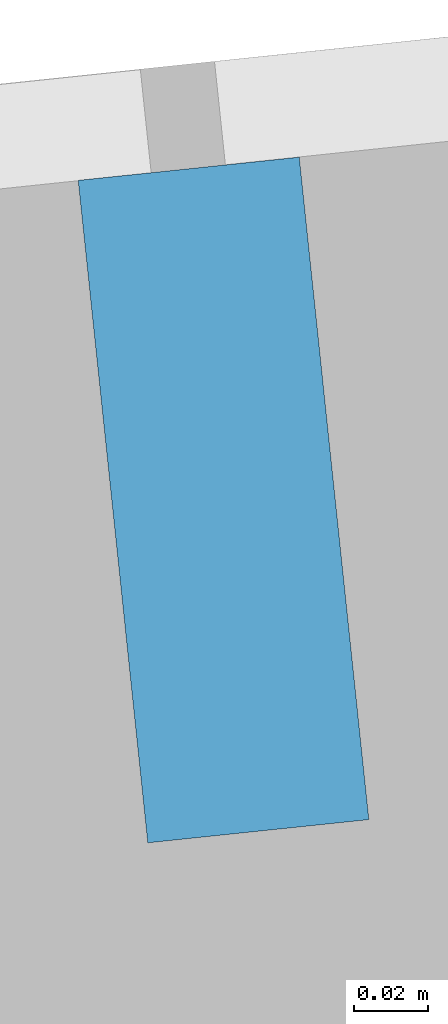
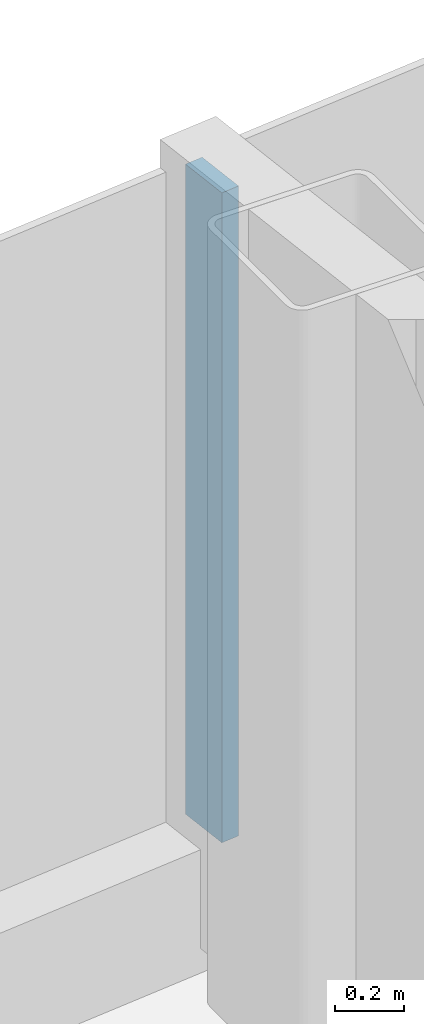
# One storey, part 9 of 26: 1 member, 1 element without a shape of its own.
"""IFC4 building model written with IfcOpenShell, lengths in metres."""

from ifc_helpers import new_model, si_unit, direction, frame, origin, origin_2d, place, context, subcontext, project, spatial, rectangle, extrude, material, layer, layer_set, material_profile, profile_set, type_object, element, aggregate, save


model = new_model("IFC4")

# Units and contexts
model_context = context("Model", 3, precision=1e-05, world=origin(), true_north=direction((0.0, 1.0)))
body_context = subcontext(model_context, "Body", "Model", "MODEL_VIEW")
ifc_project = project(units=[si_unit("LENGTHUNIT", "METRE"), si_unit("AREAUNIT", "SQUARE_METRE"), si_unit("VOLUMEUNIT", "CUBIC_METRE"), si_unit("PLANEANGLEUNIT", "RADIAN"), si_unit("MASSUNIT", "GRAM", prefix="KILO")], contexts=[model_context])

# Site, building, storey
site_placement = place(None, origin())
site = spatial("IfcSite", under=ifc_project, at=site_placement, CompositionType="ELEMENT")
building_placement = place(site_placement, origin())
building = spatial("IfcBuilding", under=site, at=building_placement, Name="Hakoniwa Tower and Hamabe Station Hall", CompositionType="ELEMENT")
storey_placement = place(building_placement, frame((0.0, 0.0, 251.800048828125)))
storey = spatial("IfcBuildingStorey", under=building, at=storey_placement, Name="L71", CompositionType="ELEMENT", Elevation=251.800048828125)

# Curtain wall, member
ifc_material_1 = material(Name="Dark low-e laminated glass", Category="glass")
ifc_layer = layer(ifc_material_1, 0.199951171875)
ifc_layer_set = layer_set([ifc_layer], Name="CW-1 UNITISED GUEST")
curtain_wall_type = type_object("IfcCurtainWallType", Name="CW-1 UNITISED GUEST", PredefinedType="NOTDEFINED", material=ifc_layer_set)
curtain_wall_placement = place(storey_placement, origin())
curtain_wall = element("IfcCurtainWall", 1, at=curtain_wall_placement, inside=storey, type_object=curtain_wall_type, Name="CW-1 curtain wall", PredefinedType="NOTDEFINED")
ifc_material_2 = material(Name="Aluminium 6063-T5 black anodised", Category="aluminium")
ifc_material_profile = material_profile(ifc_material_2, rectangle(XDim=0.06005859375, YDim=0.179931640625, at=origin_2d()), Name="CW-1 MULLION 60X180")
ifc_profile_set = profile_set([ifc_material_profile], Name="Aluminium 6063-T5 black anodised")
member_type = type_object("IfcMemberType", Name="CW-1 MULLION 60X180", PredefinedType="MULLION", material=ifc_profile_set)
member_placement = place(storey_placement, frame((-1.7958984375, 19.587890625, 0.349853515625), z_axis=(0.0, 0.0, 1.0), x_axis=(-0.994521895272, -0.104528464188, 0.0)))
member = element("IfcMember", 2, at=member_placement, type_object=member_type, Name="CW-1 mullion", PredefinedType="MULLION", context=body_context, shape_type="SweptSolid", body=[
    extrude(rectangle(XDim=0.06005859375, YDim=0.179931640625, at=origin_2d()), origin(), (0.0, 0.0, 1.0), 2.300048828125),
])
aggregate(curtain_wall, [member])

save(model, "model.ifc")
